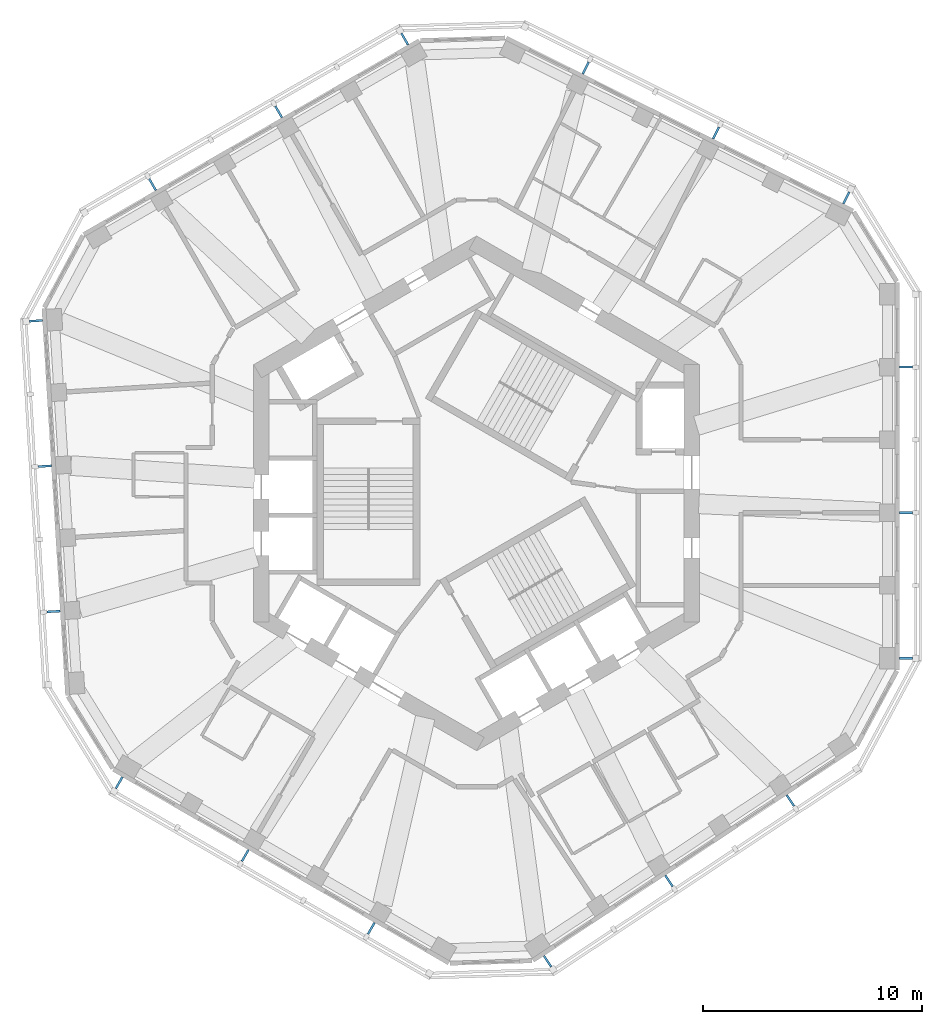
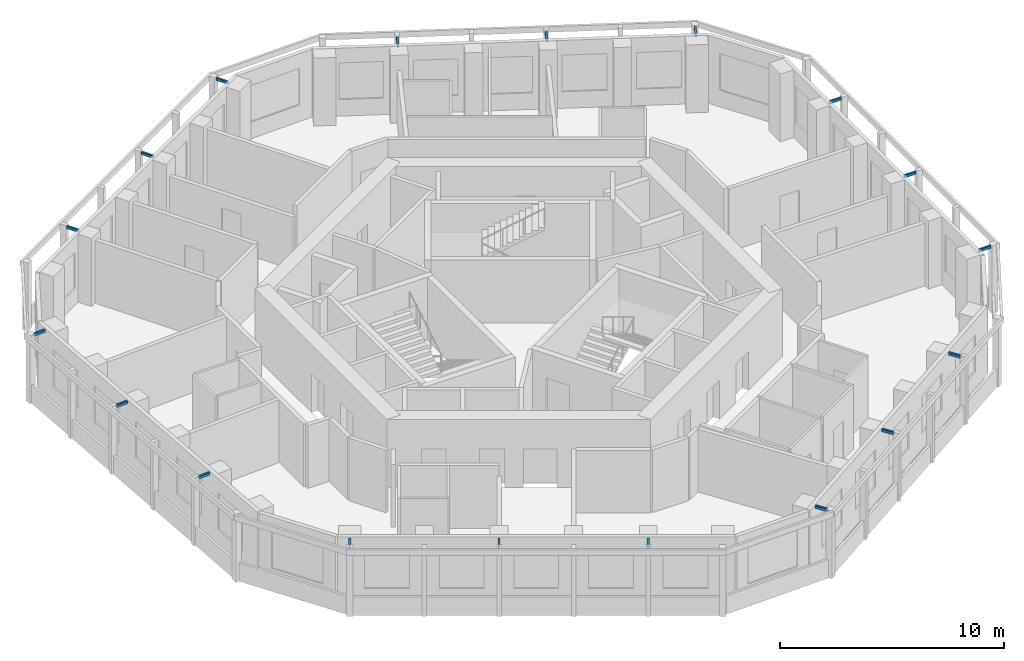
# One storey, part 10 of 11: 18 discrete accessories.
"""IFC4 building model written with IfcOpenShell, lengths in metres."""

import ifcopenshell
import ifcopenshell.guid

model = None  # the IFC model being written
_history = None  # IfcOwnerHistory: only IFC2X3 demands one
_inside = {}  # id of a spatial element -> (the spatial element, [elements in it])
_under = {}  # id of a project, library or spatial element -> (it, [spatial elements below it])
_declared = {}  # id of a project -> (the project, [libraries it declares])
_typed = {}  # id of a type object -> (the type object, [elements of that type])
_made_of = {}  # id of a material, layer set ... -> (it, [elements and type objects made of it])


def new_model(schema):
    """Start an empty IFC model of exactly this schema.

    Asked for "IFC4X3", IfcOpenShell would pick the latest addendum, in which some entities
    have other attributes; the version numbers below select the first issue.
    IFC2X3 requires an IfcOwnerHistory on every rooted entity: one is made here for all.
    """
    global model, _history
    if schema == "IFC4X3":
        model = ifcopenshell.file(schema_version=(4, 3, 0, 0))
    else:
        model = ifcopenshell.file(schema=schema)
    _inside.clear()
    _under.clear()
    _declared.clear()
    _typed.clear()
    _made_of.clear()
    _history = None
    if model.schema == "IFC2X3":
        org = make("IfcOrganization", Name="unknown")
        user = make(
            "IfcPersonAndOrganization",
            ThePerson=make("IfcPerson", FamilyName="unknown"),
            TheOrganization=org,
        )
        app = make(
            "IfcApplication",
            ApplicationDeveloper=org,
            Version="unknown",
            ApplicationFullName="unknown",
            ApplicationIdentifier="unknown",
        )
        _history = make(
            "IfcOwnerHistory",
            OwningUser=user,
            OwningApplication=app,
            ChangeAction="ADDED",
            CreationDate=0,
        )
    return model


def make(cls, **values):
    """One entity of the class cls with the attributes given. An attribute that is None is left unset."""
    return model.create_entity(
        cls, **{name: value for name, value in values.items() if value is not None}
    )


def rooted(cls, **values):
    """An entity with a GlobalId (a new one), such as an element, a storey or a relation."""
    return make(cls, GlobalId=ifcopenshell.guid.new(), OwnerHistory=_history, **values)


def si_unit(unit_type, name, prefix=None):
    """IfcSIUnit, for example si_unit("LENGTHUNIT", "METRE", prefix="MILLI")."""
    return make("IfcSIUnit", UnitType=unit_type, Prefix=prefix, Name=name)


def assignment(units):
    """IfcUnitAssignment: the units of a project."""
    return None if units is None else make("IfcUnitAssignment", Units=units)


def point(xyz):
    """IfcCartesianPoint."""
    return None if xyz is None else make("IfcCartesianPoint", Coordinates=xyz)


def direction(xyz):
    """IfcDirection."""
    return None if xyz is None else make("IfcDirection", DirectionRatios=xyz)


def frame(location, z_axis=None, x_axis=None):
    """IfcAxis2Placement3D, a coordinate frame: its origin and axes. An axis left out is left unset."""
    return make(
        "IfcAxis2Placement3D",
        Location=point(location),
        Axis=direction(z_axis),
        RefDirection=direction(x_axis),
    )


def frame_2d(location, x_axis=None):
    """IfcAxis2Placement2D, a coordinate frame in the plane: its origin and x axis."""
    return make(
        "IfcAxis2Placement2D", Location=point(location), RefDirection=direction(x_axis)
    )


def origin():
    """The frame at (0, 0, 0) with its axes left unset."""
    return frame((0.0, 0.0, 0.0))


def origin_2d():
    """The frame at (0, 0) in the plane with its x axis left unset."""
    return frame_2d((0.0, 0.0))


def place(relative_to, where):
    """IfcLocalPlacement: puts the frame where relative to a parent placement (None: the world)."""
    return make(
        "IfcLocalPlacement", PlacementRelTo=relative_to, RelativePlacement=where
    )


def context(
    kind, dimensions, precision=None, world=None, true_north=None, identifier=None
):
    """IfcGeometricRepresentationContext, for example the 3D "Model" context."""
    return make(
        "IfcGeometricRepresentationContext",
        ContextIdentifier=identifier,
        ContextType=kind,
        CoordinateSpaceDimension=dimensions,
        Precision=precision,
        WorldCoordinateSystem=world,
        TrueNorth=true_north,
    )


def subcontext(parent, identifier, kind, view, scale=None):
    """IfcGeometricRepresentationSubContext, for example "Body" below "Model"."""
    return make(
        "IfcGeometricRepresentationSubContext",
        ContextIdentifier=identifier,
        ContextType=kind,
        ParentContext=parent,
        TargetScale=scale,
        TargetView=view,
    )


def project(units=None, contexts=None):
    """IfcProject with its units and contexts."""
    return rooted(
        "IfcProject",
        Name="project",
        RepresentationContexts=contexts,
        UnitsInContext=assignment(units),
    )


def spatial(cls, under=None, at=None, **own):
    """A site, building, storey or space (cls), placed at a placement, below another one or the project."""
    s = rooted(cls, ObjectPlacement=at, **own)
    if under is not None:
        _under.setdefault(under.id(), (under, []))[1].append(s)
    return s


def profile(cls, at=None, kind="AREA", **sizes):
    """A parametric profile (cls). Its sizes go by their IFC names, for example OverallWidth=200.0."""
    return make(cls, ProfileType=kind, Position=at, **sizes)


def rectangle(**sizes):
    """IfcRectangleProfileDef."""
    return profile("IfcRectangleProfileDef", **sizes)


def extrude(swept, where, along, depth):
    """IfcExtrudedAreaSolid: the profile swept, set in the frame where, extruded along a direction by depth."""
    return make(
        "IfcExtrudedAreaSolid",
        SweptArea=swept,
        Position=where,
        ExtrudedDirection=direction(along),
        Depth=depth,
    )


def shape(context_of_items, identifier, shape_type, items):
    """IfcShapeRepresentation: the items that make up one representation, for example the "Body"."""
    return make(
        "IfcShapeRepresentation",
        ContextOfItems=context_of_items,
        RepresentationIdentifier=identifier,
        RepresentationType=shape_type,
        Items=items,
    )


def material(Name=None, Category=None):
    """IfcMaterial."""
    return make("IfcMaterial", Name=Name, Category=Category)


def made_of(thing, what):
    """Note that an element or type object is made of a material, layer set ...; save() writes the relation."""
    if what is not None:
        _made_of.setdefault(what.id(), (what, []))[1].append(thing)
    return thing


def type_object(cls, material=None, **own):
    """A type object (cls), such as IfcWallType, which elements share."""
    return made_of(rooted(cls, **own), material)


def element(
    cls,
    number,
    at=None,
    inside=None,
    cuts=None,
    type_object=None,
    material=None,
    context=None,
    identifier="Body",
    shape_type=None,
    held_by="IfcProductDefinitionShape",
    body=None,
    shapes=None,
    **own,
):
    """One element of the class cls, such as IfcWall. Its Tag is "e" and its number.

    at: its placement. inside: the storey or other place that contains it. cuts: it is an
    opening in that element (IfcRelVoidsElement). A single representation is given by context,
    identifier, shape_type and body (its items); several are given by shapes. held_by: the class
    of the entity that holds the representations. save() writes the other relations.
    """
    e = rooted(cls, Tag="e%d" % number, ObjectPlacement=at, **own)
    if body is not None:
        shapes = [shape(context, identifier, shape_type, body)]
    if shapes is not None:
        e.Representation = make(held_by, Representations=shapes)
    if inside is not None:
        _inside.setdefault(inside.id(), (inside, []))[1].append(e)
    if cuts is not None:
        rooted(
            "IfcRelVoidsElement", RelatingBuildingElement=cuts, RelatedOpeningElement=e
        )
    if type_object is not None:
        _typed.setdefault(type_object.id(), (type_object, []))[1].append(e)
    return made_of(e, material)


def aggregate(whole, parts):
    """IfcRelAggregates: a whole, such as a stair, and the parts it consists of."""
    return rooted("IfcRelAggregates", RelatingObject=whole, RelatedObjects=parts)


def save(model, path):
    """Write the relations noted so far, then the file.

    IfcRelAggregates (storeys below a building ...), IfcRelContainedInSpatialStructure (elements
    in a storey), IfcRelDefinesByType, IfcRelAssociatesMaterial and IfcRelDeclares: one each for
    every whole, place, type object, material and project.
    """
    for whole, parts in _under.values():
        aggregate(whole, parts)
    for where, things in _inside.values():
        rooted(
            "IfcRelContainedInSpatialStructure",
            RelatedElements=things,
            RelatingStructure=where,
        )
    for kind, things in _typed.values():
        rooted("IfcRelDefinesByType", RelatedObjects=things, RelatingType=kind)
    for what, things in _made_of.values():
        rooted("IfcRelAssociatesMaterial", RelatedObjects=things, RelatingMaterial=what)
    for by, libraries in _declared.values():
        rooted("IfcRelDeclares", RelatingContext=by, RelatedDefinitions=libraries)
    model.write(path)


model = new_model("IFC4")

# Units and contexts
model_context = context("Model", 3, precision=1e-05, world=origin(), true_north=direction((0.0, 1.0)))
body_context = subcontext(model_context, "Body", "Model", "MODEL_VIEW")
ifc_project = project(units=[si_unit("LENGTHUNIT", "METRE"), si_unit("AREAUNIT", "SQUARE_METRE"), si_unit("VOLUMEUNIT", "CUBIC_METRE"), si_unit("PLANEANGLEUNIT", "RADIAN"), si_unit("MASSUNIT", "GRAM", prefix="KILO")], contexts=[model_context])

# Site, building, storey
site_placement = place(None, origin())
site = spatial("IfcSite", under=ifc_project, at=site_placement, CompositionType="ELEMENT")
building_placement = place(site_placement, origin())
building = spatial("IfcBuilding", under=site, at=building_placement, Name="Vanh Sen Convention Tower", CompositionType="ELEMENT")
storey_placement = place(building_placement, frame((0.0, 0.0, 285.699951171875)))
storey = spatial("IfcBuildingStorey", under=building, at=storey_placement, Name="L70", CompositionType="ELEMENT", Elevation=285.699951171875)

# Discrete accessories
ifc_material = material(Name="Steel S355", Category="steel")
discrete_accessory_type = type_object("IfcDiscreteAccessoryType", Name="Fin bracket 100 x 150", PredefinedType="BRACKET", material=ifc_material)
for number, where, z_axis, x_axis, name in (
    (1, (19.64990234375, -7.546630859375, 3.5), (0.0, 0.0, 1.0), (1.0, 0.0, 0.0), "Fin bracket E-1 L70"),
    (2, (19.64990234375, -0.88330078125, 3.5), (0.0, 0.0, 1.0), (1.0, 0.0, 0.0), "Fin bracket E-3 L70"),
    (3, (19.64990234375, 5.77978515625, 3.5), (0.0, 0.0, 1.0), (1.0, 0.0, 0.0), "Fin bracket E-5 L70"),
    (4, (16.922119140625, 13.52001953125, 3.5), (0.0, 0.0, 1.0), (0.44619781311, 0.894934361602, 0.0), "Fin bracket NE-1 L70"),
    (5, (10.958740234375, 16.4931640625, 3.5), (0.0, 0.0, 1.0), (0.44619781311, 0.894934361602, 0.0), "Fin bracket NE-3 L70"),
    (6, (4.99560546875, 19.46630859375, 3.5), (0.0, 0.0, 1.0), (0.44619781311, 0.894934361602, 0.0), "Fin bracket NE-5 L70"),
    (7, (-3.289306640625, 20.790771484375, 3.5), (0.0, 0.0, 1.0), (-0.5, 0.866025403784, 0.0), "Fin bracket NW-1 L70"),
    (8, (-9.059814453125, 17.458984375, 3.5), (0.0, 0.0, 1.0), (-0.5, 0.866025403784, 0.0), "Fin bracket NW-3 L70"),
    (9, (-14.83056640625, 14.12744140625, 3.5), (0.0, 0.0, 1.0), (-0.5, 0.866025403784, 0.0), "Fin bracket NW-5 L70"),
    (10, (-20.169677734375, 7.89501953125, 3.5), (0.0, 0.0, 1.0), (-0.998134798422, -0.061048539535, 0.0), "Fin bracket W-1 L70"),
    (11, (-19.7626953125, 1.243896484375, 3.5), (0.0, 0.0, 1.0), (-0.998134798422, -0.061048539535, 0.0), "Fin bracket W-3 L70"),
    (12, (-19.35595703125, -5.40673828125, 3.5), (0.0, 0.0, 1.0), (-0.998134798422, -0.061048539535, 0.0), "Fin bracket W-5 L70"),
    (13, (-16.360595703125, -13.243896484375, 3.5), (0.0, 0.0, 1.0), (-0.5, -0.866025403784, 0.0), "Fin bracket SW-1 L70"),
    (14, (-10.590087890625, -16.57568359375, 3.5), (0.0, 0.0, 1.0), (-0.5, -0.866025403784, 0.0), "Fin bracket SW-3 L70"),
    (15, (-4.819580078125, -19.9072265625, 3.5), (0.0, 0.0, 1.0), (-0.5, -0.866025403784, 0.0), "Fin bracket SW-5 L70"),
    (16, (3.24755859375, -21.414794921875, 3.5), (0.0, 0.0, 1.0), (0.551936985312, -0.833885822067, 0.0), "Fin bracket SE-1 L70"),
    (17, (8.803955078125, -17.737060546875, 3.5), (0.0, 0.0, 1.0), (0.551936985312, -0.833885822067, 0.0), "Fin bracket SE-3 L70"),
    (18, (14.3603515625, -14.059326171875, 3.5), (0.0, 0.0, 1.0), (0.551936985312, -0.833885822067, 0.0), "Fin bracket SE-5 L70"),
):
    element("IfcDiscreteAccessory", number, at=place(storey_placement, frame(where, z_axis=z_axis, x_axis=x_axis)), inside=storey, type_object=discrete_accessory_type, Name=name, PredefinedType="BRACKET", context=body_context, shape_type="SweptSolid", body=[
        extrude(rectangle(XDim=0.60009765625, YDim=0.10009765625, at=origin_2d()), origin(), (0.0, 0.0, 1.0), 0.14990234375),
    ])

save(model, "model.ifc")
